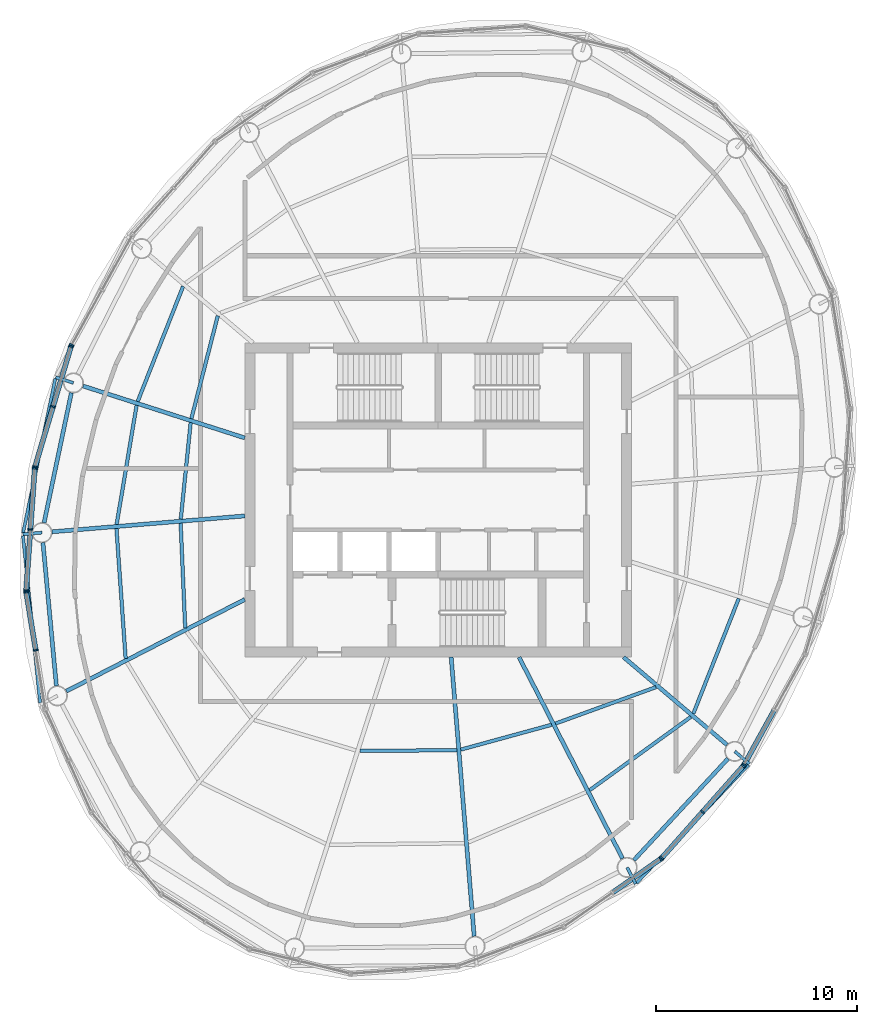
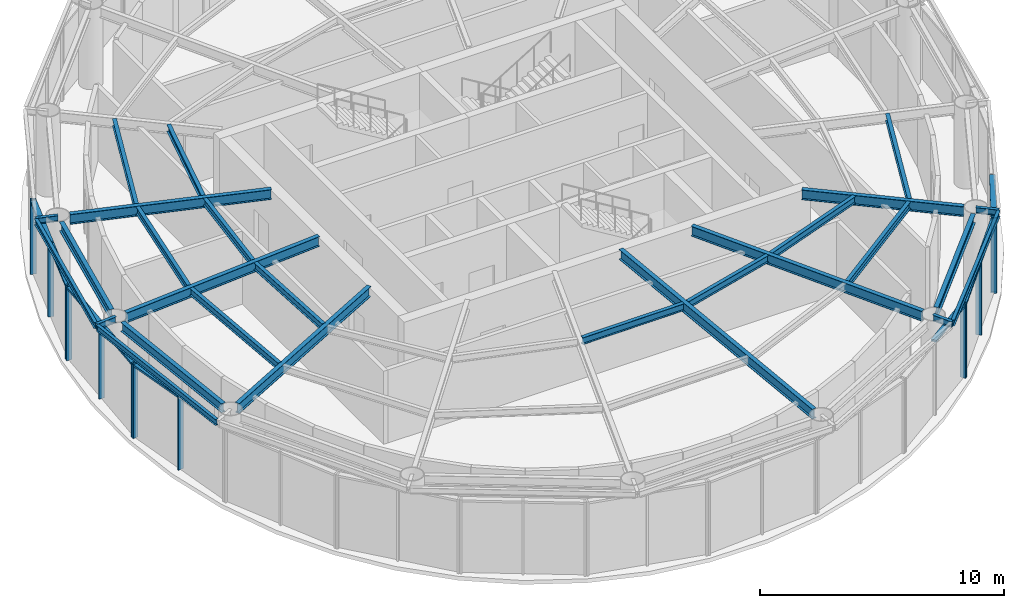
# One storey, part 3 of 11: 27 beams, 23 members, 7 elements without a shape of their own.
"""IFC4 building model written with IfcOpenShell, lengths in metres."""

from ifc_helpers import new_model, si_unit, direction, frame, origin, origin_2d, place, context, subcontext, project, spatial, rectangle, i_section, extrude, material, material_profile, profile_set, type_object, element, aggregate, save


model = new_model("IFC4")

# Units and contexts
model_context = context("Model", 3, precision=1e-05, world=origin(), true_north=direction((0.0, 1.0)))
body_context = subcontext(model_context, "Body", "Model", "MODEL_VIEW")
ifc_project = project(units=[si_unit("LENGTHUNIT", "METRE"), si_unit("AREAUNIT", "SQUARE_METRE"), si_unit("VOLUMEUNIT", "CUBIC_METRE"), si_unit("PLANEANGLEUNIT", "RADIAN"), si_unit("MASSUNIT", "GRAM", prefix="KILO")], contexts=[model_context])

# Site, building, storey
site_placement = place(None, origin())
site = spatial("IfcSite", under=ifc_project, at=site_placement, CompositionType="ELEMENT")
building_placement = place(site_placement, origin())
building = spatial("IfcBuilding", under=site, at=building_placement, Name="Vermilion Reach Broadcast Tower", CompositionType="ELEMENT")
storey_placement = place(building_placement, frame((0.0, 0.0, 321.300048828125)))
storey = spatial("IfcBuildingStorey", under=building, at=storey_placement, Name="L80 CROWN", CompositionType="ELEMENT", Elevation=321.300048828125)

# Curtain wall, member
ifc_material_1 = material(Name="Low-e laminated clear glass in aluminium frame", Category="aluminium")
curtain_wall_type = type_object("IfcCurtainWallType", Name="Crown glazing curtain wall", PredefinedType="NOTDEFINED", material=ifc_material_1)
placement = place(storey_placement, origin())
curtain_wall_1 = element("IfcCurtainWall", 1, at=placement, inside=storey, type_object=curtain_wall_type, Name="Crown glazing L80 CROWN 06", PredefinedType="NOTDEFINED")
ifc_material_2 = material(Name="Anodised aluminium", Category="aluminium")
ifc_material_profile_1 = material_profile(ifc_material_2, rectangle(XDim=0.25, YDim=0.080078125, at=origin_2d()), Name="Crown glazing mullion 80 x 250")
ifc_profile_set_1 = profile_set([ifc_material_profile_1], Name="Anodised aluminium")
member_type_1 = type_object("IfcMemberType", Name="Crown glazing mullion 80 x 250", PredefinedType="MULLION", material=ifc_profile_set_1)
member_1_placement = place(storey_placement, frame((-24.196533203125, 7.6923828125, 0.0), z_axis=(0.0, 0.0, 1.0), x_axis=(0.874983200268, -0.484153280738, 0.0)))
member_1 = element("IfcMember", 2, at=member_1_placement, type_object=member_type_1, Name="Crown glazing mullion L80 CROWN 06.3", PredefinedType="MULLION", context=body_context, shape_type="SweptSolid", body=[
    extrude(rectangle(XDim=0.25, YDim=0.080078125, at=origin_2d()), origin(), (0.0, 0.0, 1.0), 3.699951171875),
])
aggregate(curtain_wall_1, [member_1])

# Curtain wall, members
curtain_wall_2 = element("IfcCurtainWall", 3, at=placement, inside=storey, type_object=curtain_wall_type, Name="Crown glazing L80 CROWN 07", PredefinedType="NOTDEFINED")
member_2_placement = place(storey_placement, frame((-24.2275390625, 7.618896484375, 0.0), z_axis=(0.0, 0.0, 1.0), x_axis=(0.958107940789, -0.286407356394, 0.0)))
member_2 = element("IfcMember", 4, at=member_2_placement, type_object=member_type_1, Name="Crown glazing mullion L80 CROWN 07.1", PredefinedType="MULLION", context=body_context, shape_type="SweptSolid", body=[
    extrude(rectangle(XDim=0.25, YDim=0.080078125, at=origin_2d()), origin(), (0.0, 0.0, 1.0), 3.699951171875),
])
member_3_placement = place(storey_placement, frame((-25.119384765625, 4.635498046875, 0.0), z_axis=(0.0, 0.0, 1.0), x_axis=(0.958107940789, -0.286407356394, 0.0)))
member_3 = element("IfcMember", 5, at=member_3_placement, type_object=member_type_1, Name="Crown glazing mullion L80 CROWN 07.2", PredefinedType="MULLION", context=body_context, shape_type="SweptSolid", body=[
    extrude(rectangle(XDim=0.25, YDim=0.080078125, at=origin_2d()), origin(), (0.0, 0.0, 1.0), 3.699951171875),
])
member_4_placement = place(storey_placement, frame((-26.01123046875, 1.65185546875, 0.0), z_axis=(0.0, 0.0, 1.0), x_axis=(0.958107940789, -0.286407356394, 0.0)))
member_4 = element("IfcMember", 6, at=member_4_placement, type_object=member_type_1, Name="Crown glazing mullion L80 CROWN 07.3", PredefinedType="MULLION", context=body_context, shape_type="SweptSolid", body=[
    extrude(rectangle(XDim=0.25, YDim=0.080078125, at=origin_2d()), origin(), (0.0, 0.0, 1.0), 3.699951171875),
])

curtain_wall_3 = element("IfcCurtainWall", 7, at=placement, inside=storey, type_object=curtain_wall_type, Name="Crown glazing L80 CROWN 08", PredefinedType="NOTDEFINED")
member_5_placement = place(storey_placement, frame((-26.025390625, 1.57373046875, 0.0), z_axis=(0.0, 0.0, 1.0), x_axis=(0.997499557729, -0.070672712769, 0.0)))
member_5 = element("IfcMember", 8, at=member_5_placement, type_object=member_type_1, Name="Crown glazing mullion L80 CROWN 08.1", PredefinedType="MULLION", context=body_context, shape_type="SweptSolid", body=[
    extrude(rectangle(XDim=0.25, YDim=0.080078125, at=origin_2d()), origin(), (0.0, 0.0, 1.0), 3.699951171875),
])
member_6_placement = place(storey_placement, frame((-26.240478515625, -1.46240234375, 0.0), z_axis=(0.0, 0.0, 1.0), x_axis=(0.997499557729, -0.070672712769, 0.0)))
member_6 = element("IfcMember", 9, at=member_6_placement, type_object=member_type_1, Name="Crown glazing mullion L80 CROWN 08.2", PredefinedType="MULLION", context=body_context, shape_type="SweptSolid", body=[
    extrude(rectangle(XDim=0.25, YDim=0.080078125, at=origin_2d()), origin(), (0.0, 0.0, 1.0), 3.699951171875),
])
member_7_placement = place(storey_placement, frame((-26.455810546875, -4.49853515625, 0.0), z_axis=(0.0, 0.0, 1.0), x_axis=(0.997499557729, -0.070672712769, 0.0)))
member_7 = element("IfcMember", 10, at=member_7_placement, type_object=member_type_1, Name="Crown glazing mullion L80 CROWN 08.3", PredefinedType="MULLION", context=body_context, shape_type="SweptSolid", body=[
    extrude(rectangle(XDim=0.25, YDim=0.080078125, at=origin_2d()), origin(), (0.0, 0.0, 1.0), 3.699951171875),
])

curtain_wall_4 = element("IfcCurtainWall", 11, at=placement, inside=storey, type_object=curtain_wall_type, Name="Crown glazing L80 CROWN 09", PredefinedType="NOTDEFINED")
member_8_placement = place(storey_placement, frame((-26.451904296875, -4.577880859375, 0.0), z_axis=(0.0, 0.0, 1.0), x_axis=(0.986689101121, 0.162618011697, 0.0)))
member_8 = element("IfcMember", 12, at=member_8_placement, type_object=member_type_1, Name="Crown glazing mullion L80 CROWN 09.1", PredefinedType="MULLION", context=body_context, shape_type="SweptSolid", body=[
    extrude(rectangle(XDim=0.25, YDim=0.080078125, at=origin_2d()), origin(), (0.0, 0.0, 1.0), 3.699951171875),
])
member_9_placement = place(storey_placement, frame((-25.9775390625, -7.456787109375, 0.0), z_axis=(0.0, 0.0, 1.0), x_axis=(0.986689101121, 0.162618011697, 0.0)))
member_9 = element("IfcMember", 13, at=member_9_placement, type_object=member_type_1, Name="Crown glazing mullion L80 CROWN 09.2", PredefinedType="MULLION", context=body_context, shape_type="SweptSolid", body=[
    extrude(rectangle(XDim=0.25, YDim=0.080078125, at=origin_2d()), origin(), (0.0, 0.0, 1.0), 3.699951171875),
])

# Curtain wall, member
curtain_wall_5 = element("IfcCurtainWall", 14, at=placement, inside=storey, type_object=curtain_wall_type, Name="Crown glazing L80 CROWN 16", PredefinedType="NOTDEFINED")
member_10_placement = place(storey_placement, frame((5.038818359375, -17.8154296875, 0.0), z_axis=(0.0, 0.0, 1.0), x_axis=(-0.574163969023, 0.818740335317, 0.0)))
member_10 = element("IfcMember", 15, at=member_10_placement, type_object=member_type_1, Name="Crown glazing mullion L80 CROWN 16.3", PredefinedType="MULLION", context=body_context, shape_type="SweptSolid", body=[
    extrude(rectangle(XDim=0.25, YDim=0.080078125, at=origin_2d()), origin(), (0.0, 0.0, 1.0), 3.699951171875),
])

# Curtain wall, members
curtain_wall_6 = element("IfcCurtainWall", 16, at=placement, inside=storey, type_object=curtain_wall_type, Name="Crown glazing L80 CROWN 17", PredefinedType="NOTDEFINED")
member_11_placement = place(storey_placement, frame((5.09814453125, -17.762451171875, 0.0), z_axis=(0.0, 0.0, 1.0), x_axis=(-0.748407682668, 0.663238976934, 0.0)))
member_11 = element("IfcMember", 17, at=member_11_placement, type_object=member_type_1, Name="Crown glazing mullion L80 CROWN 17.1", PredefinedType="MULLION", context=body_context, shape_type="SweptSolid", body=[
    extrude(rectangle(XDim=0.25, YDim=0.080078125, at=origin_2d()), origin(), (0.0, 0.0, 1.0), 3.699951171875),
])
member_12_placement = place(storey_placement, frame((7.11669921875, -15.484619140625, 0.0), z_axis=(0.0, 0.0, 1.0), x_axis=(-0.748407682668, 0.663238976934, 0.0)))
member_12 = element("IfcMember", 18, at=member_12_placement, type_object=member_type_1, Name="Crown glazing mullion L80 CROWN 17.2", PredefinedType="MULLION", context=body_context, shape_type="SweptSolid", body=[
    extrude(rectangle(XDim=0.25, YDim=0.080078125, at=origin_2d()), origin(), (0.0, 0.0, 1.0), 3.699951171875),
])
member_13_placement = place(storey_placement, frame((9.135498046875, -13.20654296875, 0.0), z_axis=(0.0, 0.0, 1.0), x_axis=(-0.748407682668, 0.663238976934, 0.0)))
member_13 = element("IfcMember", 19, at=member_13_placement, type_object=member_type_1, Name="Crown glazing mullion L80 CROWN 17.3", PredefinedType="MULLION", context=body_context, shape_type="SweptSolid", body=[
    extrude(rectangle(XDim=0.25, YDim=0.080078125, at=origin_2d()), origin(), (0.0, 0.0, 1.0), 3.699951171875),
])

# Curtain wall, member
curtain_wall_7 = element("IfcCurtainWall", 20, at=placement, inside=storey, type_object=curtain_wall_type, Name="Crown glazing L80 CROWN 18", PredefinedType="NOTDEFINED")
member_14_placement = place(storey_placement, frame((9.181396484375, -13.1416015625, 0.0), z_axis=(0.0, 0.0, 1.0), x_axis=(-0.874983200268, 0.484153280738, 0.0)))
member_14 = element("IfcMember", 21, at=member_14_placement, type_object=member_type_1, Name="Crown glazing mullion L80 CROWN 18.1", PredefinedType="MULLION", context=body_context, shape_type="SweptSolid", body=[
    extrude(rectangle(XDim=0.25, YDim=0.080078125, at=origin_2d()), origin(), (0.0, 0.0, 1.0), 3.699951171875),
])

# Member
ifc_material_3 = material(Name="Anodised aluminium", Category="aluminium")
ifc_material_profile_2 = material_profile(ifc_material_3, rectangle(XDim=0.25, YDim=0.10009765625, at=origin_2d()), Name="Crown glazing transom 250 x 100")
ifc_profile_set_2 = profile_set([ifc_material_profile_2], Name="Anodised aluminium")
member_type_2 = type_object("IfcMemberType", Name="Crown glazing transom 250 x 100", PredefinedType="USERDEFINED", material=ifc_profile_set_2)
member_15_placement = place(storey_placement, frame((-24.239013671875, 7.58056640625, 3.64990234375), z_axis=(-0.286402743865, -0.958109319601, 0.0), x_axis=(0.958109319601, -0.286402743865, 0.0)))
member_15 = element("IfcMember", 22, at=member_15_placement, type_object=member_type_2, Name="Crown glazing transom L80 CROWN 07.1.2", ObjectType="TRANSOM", PredefinedType="USERDEFINED", context=body_context, shape_type="SweptSolid", body=[
    extrude(rectangle(XDim=0.25, YDim=0.10009765625, at=origin_2d()), origin(), (0.0, 0.0, 1.0), 3.033935546875),
])

member_16_placement = place(storey_placement, frame((-25.130859375, 4.59716796875, 3.64990234375), z_axis=(-0.286380663338, -0.958115919744, 0.0), x_axis=(0.958115919744, -0.286380663338, 0.0)))
member_16 = element("IfcMember", 23, at=member_16_placement, type_object=member_type_2, Name="Crown glazing transom L80 CROWN 07.2.2", ObjectType="TRANSOM", PredefinedType="USERDEFINED", context=body_context, shape_type="SweptSolid", body=[
    extrude(rectangle(XDim=0.25, YDim=0.10009765625, at=origin_2d()), origin(), (0.0, 0.0, 1.0), 3.0341796875),
])

aggregate(curtain_wall_2, [member_2, member_3, member_4, member_15, member_16])

member_17_placement = place(storey_placement, frame((-26.0283203125, 1.533935546875, 3.64990234375), z_axis=(-0.07067918302, -0.997499099292, 0.0), x_axis=(0.997499099292, -0.07067918302, 0.0)))
member_17 = element("IfcMember", 24, at=member_17_placement, type_object=member_type_2, Name="Crown glazing transom L80 CROWN 08.1.2", ObjectType="TRANSOM", PredefinedType="USERDEFINED", context=body_context, shape_type="SweptSolid", body=[
    extrude(rectangle(XDim=0.25, YDim=0.10009765625, at=origin_2d()), origin(), (0.0, 0.0, 1.0), 2.963623046875),
])

member_18_placement = place(storey_placement, frame((-26.243408203125, -1.502197265625, 3.64990234375), z_axis=(-0.07067918302, -0.997499099292, 0.0), x_axis=(0.997499099292, -0.07067918302, 0.0)))
member_18 = element("IfcMember", 25, at=member_18_placement, type_object=member_type_2, Name="Crown glazing transom L80 CROWN 08.2.2", ObjectType="TRANSOM", PredefinedType="USERDEFINED", context=body_context, shape_type="SweptSolid", body=[
    extrude(rectangle(XDim=0.25, YDim=0.10009765625, at=origin_2d()), origin(), (0.0, 0.0, 1.0), 2.963623046875),
])

aggregate(curtain_wall_3, [member_5, member_6, member_7, member_17, member_18])

member_19_placement = place(storey_placement, frame((-26.445556640625, -4.6171875, 3.64990234375), z_axis=(0.162599033258, -0.986692228805, 0.0), x_axis=(0.986692228805, 0.162599033258, 0.0)))
member_19 = element("IfcMember", 26, at=member_19_placement, type_object=member_type_2, Name="Crown glazing transom L80 CROWN 09.1.2", ObjectType="TRANSOM", PredefinedType="USERDEFINED", context=body_context, shape_type="SweptSolid", body=[
    extrude(rectangle(XDim=0.25, YDim=0.10009765625, at=origin_2d()), origin(), (0.0, 0.0, 1.0), 2.837890625),
])

aggregate(curtain_wall_4, [member_8, member_9, member_19])

member_20_placement = place(storey_placement, frame((2.6826171875, -19.4677734375, 3.64990234375), z_axis=(0.818742582552, 0.574160764522, 0.0), x_axis=(-0.574160764522, 0.818742582552, 0.0)))
member_20 = element("IfcMember", 27, at=member_20_placement, type_object=member_type_2, Name="Crown glazing transom L80 CROWN 16.2.2", ObjectType="TRANSOM", PredefinedType="USERDEFINED", context=body_context, shape_type="SweptSolid", body=[
    extrude(rectangle(XDim=0.25, YDim=0.10009765625, at=origin_2d()), origin(), (0.0, 0.0, 1.0), 2.837890625),
])

aggregate(curtain_wall_5, [member_10, member_20])

member_21_placement = place(storey_placement, frame((5.12451171875, -17.732421875, 3.64990234375), z_axis=(0.663279205809, 0.748372029903, 0.0), x_axis=(-0.748372029903, 0.663279205809, 0.0)))
member_21 = element("IfcMember", 28, at=member_21_placement, type_object=member_type_2, Name="Crown glazing transom L80 CROWN 17.1.2", ObjectType="TRANSOM", PredefinedType="USERDEFINED", context=body_context, shape_type="SweptSolid", body=[
    extrude(rectangle(XDim=0.25, YDim=0.10009765625, at=origin_2d()), origin(), (0.0, 0.0, 1.0), 2.9638671875),
])

member_22_placement = place(storey_placement, frame((7.143310546875, -15.45458984375, 3.64990234375), z_axis=(0.663233067327, 0.74841291972, 0.0), x_axis=(-0.74841291972, 0.663233067327, 0.0)))
member_22 = element("IfcMember", 29, at=member_22_placement, type_object=member_type_2, Name="Crown glazing transom L80 CROWN 17.2.2", ObjectType="TRANSOM", PredefinedType="USERDEFINED", context=body_context, shape_type="SweptSolid", body=[
    extrude(rectangle(XDim=0.25, YDim=0.10009765625, at=origin_2d()), origin(), (0.0, 0.0, 1.0), 2.963623046875),
])

aggregate(curtain_wall_6, [member_11, member_12, member_13, member_21, member_22])

member_23_placement = place(storey_placement, frame((9.20068359375, -13.106689453125, 3.64990234375), z_axis=(0.484159697597, 0.874979649605, 0.0), x_axis=(-0.874979649605, 0.484159697597, 0.0)))
member_23 = element("IfcMember", 30, at=member_23_placement, type_object=member_type_2, Name="Crown glazing transom L80 CROWN 18.1.2", ObjectType="TRANSOM", PredefinedType="USERDEFINED", context=body_context, shape_type="SweptSolid", body=[
    extrude(rectangle(XDim=0.25, YDim=0.10009765625, at=origin_2d()), origin(), (0.0, 0.0, 1.0), 3.0341796875),
])

aggregate(curtain_wall_7, [member_14, member_23])

# Beams
ifc_material_4 = material(Name="Steel S355J2", Category="steel")
ifc_material_profile_3 = material_profile(ifc_material_4, i_section(OverallWidth=0.14990234375, OverallDepth=0.300048828125, WebThickness=0.006591796875, FlangeThickness=0.009033203125, at=origin_2d()), Name="S355J2 HN 300x150x6.5x9")
ifc_profile_set_3 = profile_set([ifc_material_profile_3], Name="Steel S355J2")
beam_type_1 = type_object("IfcBeamType", Name="EB5 HN 300x150x6.5x9", PredefinedType="BEAM", material=ifc_profile_set_3)
beam_1_placement = place(storey_placement, frame((-25.00439453125, 6.019287109375, 3.849853515625), z_axis=(-0.204738436734, -0.978816720599, 0.0), x_axis=(0.978816720599, -0.204738436734, 0.0)))
element("IfcBeam", 31, at=beam_1_placement, inside=storey, type_object=beam_type_1, Name="Edge beam EB5-05", PredefinedType="BEAM", context=body_context, shape_type="SweptSolid", body=[
    extrude(i_section(OverallWidth=0.14990234375, OverallDepth=0.300048828125, WebThickness=0.006591796875, FlangeThickness=0.009033203125, at=origin_2d()), origin(), (0.0, 0.0, 1.0), 7.806884765625),
])
beam_2_placement = place(storey_placement, frame((-26.611083984375, -1.7734375, 3.849853515625), z_axis=(0.102011792202, -0.99478318957, 0.0), x_axis=(0.99478318957, 0.102011792202, 0.0)))
element("IfcBeam", 32, at=beam_2_placement, inside=storey, type_object=beam_type_1, Name="Edge beam EB5-06", PredefinedType="BEAM", context=body_context, shape_type="SweptSolid", body=[
    extrude(i_section(OverallWidth=0.14990234375, OverallDepth=0.300048828125, WebThickness=0.006591796875, FlangeThickness=0.009033203125, at=origin_2d()), origin(), (0.0, 0.0, 1.0), 8.34521484375),
])
beam_3_placement = place(storey_placement, frame((3.85400390625, -19.001708984375, 3.849853515625), z_axis=(0.687701793008, 0.725993280888, 0.0), x_axis=(-0.725993280888, 0.687701793008, 0.0)))
element("IfcBeam", 33, at=beam_3_placement, inside=storey, type_object=beam_type_1, Name="Edge beam EB5-11", PredefinedType="BEAM", context=body_context, shape_type="SweptSolid", body=[
    extrude(i_section(OverallWidth=0.14990234375, OverallDepth=0.300048828125, WebThickness=0.006591796875, FlangeThickness=0.009033203125, at=origin_2d()), origin(), (0.0, 0.0, 1.0), 8.05908203125),
])
ifc_material_5 = material(Name="Steel S355J2", Category="steel")
ifc_material_profile_4 = material_profile(ifc_material_5, i_section(OverallWidth=0.199951171875, OverallDepth=0.5, WebThickness=0.010009765625, FlangeThickness=0.01611328125, at=origin_2d()), Name="S355J2 HN 500x200x10x16")
ifc_profile_set_4 = profile_set([ifc_material_profile_4], Name="Steel S355J2")
beam_type_2 = type_object("IfcBeamType", Name="G5 HN 500x200x10x16", PredefinedType="BEAM", material=ifc_profile_set_4)
beam_4_placement = place(storey_placement, frame((-15.60009765625, 3.080322265625, 3.75), z_axis=(-0.952178453449, 0.305542456604, 0.0), x_axis=(-0.305542456604, -0.952178453449, 0.0)))
element("IfcBeam", 34, at=beam_4_placement, inside=storey, type_object=beam_type_2, Name="Girder G5-05", PredefinedType="BEAM", context=body_context, shape_type="SweptSolid", body=[
    extrude(i_section(OverallWidth=0.199951171875, OverallDepth=0.5, WebThickness=0.010009765625, FlangeThickness=0.01611328125, at=origin_2d()), origin(), (0.0, 0.0, 1.0), 8.43310546875),
])
beam_5_placement = place(storey_placement, frame((-15.60009765625, -0.791015625, 3.75), z_axis=(-0.996624410075, -0.082096195058, 0.0), x_axis=(0.082096195058, -0.996624410075, 0.0)))
element("IfcBeam", 35, at=beam_5_placement, inside=storey, type_object=beam_type_2, Name="Girder G5-06", PredefinedType="BEAM", context=body_context, shape_type="SweptSolid", body=[
    extrude(i_section(OverallWidth=0.199951171875, OverallDepth=0.5, WebThickness=0.010009765625, FlangeThickness=0.01611328125, at=origin_2d()), origin(), (0.0, 0.0, 1.0), 9.599609375),
])
beam_6_placement = place(storey_placement, frame((-15.60009765625, -4.935791015625, 3.75), z_axis=(-0.889332502449, -0.457261085254, 0.0), x_axis=(0.457261085254, -0.889332502449, 0.0)))
element("IfcBeam", 36, at=beam_6_placement, inside=storey, type_object=beam_type_2, Name="Girder G5-07", PredefinedType="BEAM", context=body_context, shape_type="SweptSolid", body=[
    extrude(i_section(OverallWidth=0.199951171875, OverallDepth=0.5, WebThickness=0.010009765625, FlangeThickness=0.01611328125, at=origin_2d()), origin(), (0.0, 0.0, 1.0), 9.96337890625),
])
beam_7_placement = place(storey_placement, frame((-5.357421875, -7.800048828125, 3.75), z_axis=(0.082123744247, -0.996622140347, 0.0), x_axis=(0.996622140347, 0.082123744247, 0.0)))
element("IfcBeam", 37, at=beam_7_placement, inside=storey, type_object=beam_type_2, Name="Girder G5-10", PredefinedType="BEAM", context=body_context, shape_type="SweptSolid", body=[
    extrude(i_section(OverallWidth=0.199951171875, OverallDepth=0.5, WebThickness=0.010009765625, FlangeThickness=0.01611328125, at=origin_2d()), origin(), (0.0, 0.0, 1.0), 13.89794921875),
])
beam_8_placement = place(storey_placement, frame((-1.989501953125, -7.800048828125, 3.75), z_axis=(0.457258168112, -0.889334002327, 0.0), x_axis=(0.889334002327, 0.457258168112, 0.0)))
element("IfcBeam", 38, at=beam_8_placement, inside=storey, type_object=beam_type_2, Name="Girder G5-11", PredefinedType="BEAM", context=body_context, shape_type="SweptSolid", body=[
    extrude(i_section(OverallWidth=0.199951171875, OverallDepth=0.5, WebThickness=0.010009765625, FlangeThickness=0.01611328125, at=origin_2d()), origin(), (0.0, 0.0, 1.0), 11.236328125),
])
beam_9_placement = place(storey_placement, frame((3.20068359375, -7.800048828125, 3.75), z_axis=(0.762793125612, -0.646642596431, 0.0), x_axis=(0.646642596431, 0.762793125612, 0.0)))
element("IfcBeam", 39, at=beam_9_placement, inside=storey, type_object=beam_type_2, Name="Girder G5-12", PredefinedType="BEAM", context=body_context, shape_type="SweptSolid", body=[
    extrude(i_section(OverallWidth=0.199951171875, OverallDepth=0.5, WebThickness=0.010009765625, FlangeThickness=0.01611328125, at=origin_2d()), origin(), (0.0, 0.0, 1.0), 6.732421875),
])
ifc_material_6 = material(Name="Steel S355J2", Category="steel")
ifc_material_profile_5 = material_profile(ifc_material_6, i_section(OverallWidth=0.14990234375, OverallDepth=0.300048828125, WebThickness=0.006591796875, FlangeThickness=0.009033203125, at=origin_2d()), Name="S355J2 HN 300x150x6.5x9")
ifc_profile_set_5 = profile_set([ifc_material_profile_5], Name="Steel S355J2")
beam_type_3 = type_object("IfcBeamType", Name="GS5 HN 300x150x6.5x9", PredefinedType="BEAM", material=ifc_profile_set_5)
beam_10_placement = place(storey_placement, frame((-24.10595703125, 5.809814453125, 3.849853515625), z_axis=(-0.952228317443, 0.305387019141, 0.0), x_axis=(-0.305387019141, -0.952228317443, 0.0)))
element("IfcBeam", 40, at=beam_10_placement, inside=storey, type_object=beam_type_3, Name="Cantilever stub GS5-05", PredefinedType="BEAM", context=body_context, shape_type="SweptSolid", body=[
    extrude(i_section(OverallWidth=0.14990234375, OverallDepth=0.300048828125, WebThickness=0.006591796875, FlangeThickness=0.009033203125, at=origin_2d()), origin(), (0.0, 0.0, 1.0), 0.92724609375),
])
beam_11_placement = place(storey_placement, frame((-25.665771484375, -1.620361328125, 3.849853515625), z_axis=(-0.996634988565, -0.081967673925, 0.0), x_axis=(0.081967673925, -0.996634988565, 0.0)))
element("IfcBeam", 41, at=beam_11_placement, inside=storey, type_object=beam_type_3, Name="Cantilever stub GS5-06", PredefinedType="BEAM", context=body_context, shape_type="SweptSolid", body=[
    extrude(i_section(OverallWidth=0.14990234375, OverallDepth=0.300048828125, WebThickness=0.006591796875, FlangeThickness=0.009033203125, at=origin_2d()), origin(), (0.0, 0.0, 1.0), 0.9560546875),
])
beam_12_placement = place(storey_placement, frame((3.376953125, -18.23779296875, 3.849853515625), z_axis=(0.457228572872, -0.889349218333, 0.0), x_axis=(0.889349218333, 0.457228572872, 0.0)))
element("IfcBeam", 42, at=beam_12_placement, inside=storey, type_object=beam_type_3, Name="Cantilever stub GS5-11", PredefinedType="BEAM", context=body_context, shape_type="SweptSolid", body=[
    extrude(i_section(OverallWidth=0.14990234375, OverallDepth=0.300048828125, WebThickness=0.006591796875, FlangeThickness=0.009033203125, at=origin_2d()), origin(), (0.0, 0.0, 1.0), 0.923828125),
])
beam_13_placement = place(storey_placement, frame((8.717529296875, -12.476806640625, 3.849853515625), z_axis=(0.762718692688, -0.64673038882, 0.0), x_axis=(0.64673038882, 0.762718692688, 0.0)))
element("IfcBeam", 43, at=beam_13_placement, inside=storey, type_object=beam_type_3, Name="Cantilever stub GS5-12", PredefinedType="BEAM", context=body_context, shape_type="SweptSolid", body=[
    extrude(i_section(OverallWidth=0.14990234375, OverallDepth=0.300048828125, WebThickness=0.006591796875, FlangeThickness=0.009033203125, at=origin_2d()), origin(), (0.0, 0.0, 1.0), 0.957763671875),
])
ifc_material_7 = material(Name="Steel S355J2", Category="steel")
ifc_material_profile_6 = material_profile(ifc_material_7, i_section(OverallWidth=0.199951171875, OverallDepth=0.449951171875, WebThickness=0.009033203125, FlangeThickness=0.013916015625, at=origin_2d()), Name="S355J2 HN 450x200x9x14")
ifc_profile_set_6 = profile_set([ifc_material_profile_6], Name="Steel S355J2")
beam_type_4 = type_object("IfcBeamType", Name="RB5 HN 450x200x9x14", PredefinedType="BEAM", material=ifc_profile_set_6)
beam_14_placement = place(storey_placement, frame((-24.208740234375, 5.3203125, 3.77490234375), z_axis=(-0.205444869285, -0.978668690459, 0.0), x_axis=(0.978668690459, -0.205444869285, 0.0)))
element("IfcBeam", 44, at=beam_14_placement, inside=storey, type_object=beam_type_4, Name="Ring beam RB5-05", PredefinedType="BEAM", context=body_context, shape_type="SweptSolid", body=[
    extrude(i_section(OverallWidth=0.199951171875, OverallDepth=0.449951171875, WebThickness=0.009033203125, FlangeThickness=0.013916015625, at=origin_2d()), origin(), (0.0, 0.0, 1.0), 6.591796875),
])
beam_15_placement = place(storey_placement, frame((-25.618896484375, -2.1181640625, 3.77490234375), z_axis=(0.093441399272, -0.995624781181, 0.0), x_axis=(0.995624781181, 0.093441399272, 0.0)))
element("IfcBeam", 45, at=beam_15_placement, inside=storey, type_object=beam_type_4, Name="Ring beam RB5-06", PredefinedType="BEAM", context=body_context, shape_type="SweptSolid", body=[
    extrude(i_section(OverallWidth=0.199951171875, OverallDepth=0.449951171875, WebThickness=0.009033203125, FlangeThickness=0.013916015625, at=origin_2d()), origin(), (0.0, 0.0, 1.0), 7.135498046875),
])
beam_16_placement = place(storey_placement, frame((3.716796875, -17.87109375, 3.77490234375), z_axis=(0.679837550075, 0.733362738014, 0.0), x_axis=(-0.733362738014, 0.679837550075, 0.0)))
element("IfcBeam", 46, at=beam_16_placement, inside=storey, type_object=beam_type_4, Name="Ring beam RB5-11", PredefinedType="BEAM", context=body_context, shape_type="SweptSolid", body=[
    extrude(i_section(OverallWidth=0.199951171875, OverallDepth=0.449951171875, WebThickness=0.009033203125, FlangeThickness=0.013916015625, at=origin_2d()), origin(), (0.0, 0.0, 1.0), 6.85546875),
])
ifc_material_8 = material(Name="Steel S355J2", Category="steel")
ifc_material_profile_7 = material_profile(ifc_material_8, i_section(OverallWidth=0.175048828125, OverallDepth=0.35009765625, WebThickness=0.007080078125, FlangeThickness=0.010986328125, at=origin_2d()), Name="S355J2 HN 350x175x7x11")
ifc_profile_set_7 = profile_set([ifc_material_profile_7], Name="Steel S355J2")
beam_type_5 = type_object("IfcBeamType", Name="SB5 HN 350x175x7x11", PredefinedType="BEAM", material=ifc_profile_set_7)
beam_17_placement = place(storey_placement, frame((-16.940185546875, 9.1435546875, 3.824951171875), z_axis=(-0.248729575729, -0.968572969971, 0.0), x_axis=(0.968572969971, -0.248729575729, 0.0)))
element("IfcBeam", 47, at=beam_17_placement, inside=storey, type_object=beam_type_5, Name="Secondary beam SB5-04-1", PredefinedType="BEAM", context=body_context, shape_type="SweptSolid", body=[
    extrude(i_section(OverallWidth=0.175048828125, OverallDepth=0.35009765625, WebThickness=0.007080078125, FlangeThickness=0.010986328125, at=origin_2d()), origin(), (0.0, 0.0, 1.0), 5.27294921875),
])
beam_18_placement = place(storey_placement, frame((-18.6630859375, 10.604248046875, 3.824951171875), z_axis=(-0.366931189603, -0.930248086317, 0.0), x_axis=(0.930248086317, -0.366931189603, 0.0)))
element("IfcBeam", 48, at=beam_18_placement, inside=storey, type_object=beam_type_5, Name="Secondary beam SB5-04-2", PredefinedType="BEAM", context=body_context, shape_type="SweptSolid", body=[
    extrude(i_section(OverallWidth=0.175048828125, OverallDepth=0.35009765625, WebThickness=0.007080078125, FlangeThickness=0.010986328125, at=origin_2d()), origin(), (0.0, 0.0, 1.0), 6.141357421875),
])
beam_19_placement = place(storey_placement, frame((-18.287109375, 3.837646484375, 3.824951171875), z_axis=(-0.102113775264, -0.994772726255, 0.0), x_axis=(0.994772726255, -0.102113775264, 0.0)))
element("IfcBeam", 49, at=beam_19_placement, inside=storey, type_object=beam_type_5, Name="Secondary beam SB5-05-1", PredefinedType="BEAM", context=body_context, shape_type="SweptSolid", body=[
    extrude(i_section(OverallWidth=0.175048828125, OverallDepth=0.35009765625, WebThickness=0.007080078125, FlangeThickness=0.010986328125, at=origin_2d()), origin(), (0.0, 0.0, 1.0), 4.815185546875),
])
beam_20_placement = place(storey_placement, frame((-20.969970703125, 4.698486328125, 3.824951171875), z_axis=(-0.16532337011, -0.986239414795, 0.0), x_axis=(0.986239414795, -0.16532337011, 0.0)))
element("IfcBeam", 50, at=beam_20_placement, inside=storey, type_object=beam_type_5, Name="Secondary beam SB5-05-2", PredefinedType="BEAM", context=body_context, shape_type="SweptSolid", body=[
    extrude(i_section(OverallWidth=0.175048828125, OverallDepth=0.35009765625, WebThickness=0.007080078125, FlangeThickness=0.010986328125, at=origin_2d()), origin(), (0.0, 0.0, 1.0), 5.99560546875),
])
beam_21_placement = place(storey_placement, frame((-18.78466796875, -1.153564453125, 3.824951171875), z_axis=(0.043557530017, -0.999050920413, 0.0), x_axis=(0.999050920413, 0.043557530017, 0.0)))
element("IfcBeam", 51, at=beam_21_placement, inside=storey, type_object=beam_type_5, Name="Secondary beam SB5-06-1", PredefinedType="BEAM", context=body_context, shape_type="SweptSolid", body=[
    extrude(i_section(OverallWidth=0.175048828125, OverallDepth=0.35009765625, WebThickness=0.007080078125, FlangeThickness=0.010986328125, at=origin_2d()), origin(), (0.0, 0.0, 1.0), 5.19580078125),
])
beam_22_placement = place(storey_placement, frame((-21.97119140625, -1.416259765625, 3.824951171875), z_axis=(0.070586780458, -0.997505642302, 0.0), x_axis=(0.997505642302, 0.070586780458, 0.0)))
element("IfcBeam", 52, at=beam_22_placement, inside=storey, type_object=beam_type_5, Name="Secondary beam SB5-06-2", PredefinedType="BEAM", context=body_context, shape_type="SweptSolid", body=[
    extrude(i_section(OverallWidth=0.175048828125, OverallDepth=0.35009765625, WebThickness=0.007080078125, FlangeThickness=0.010986328125, at=origin_2d()), origin(), (0.0, 0.0, 1.0), 6.46435546875),
])
beam_23_placement = place(storey_placement, frame((-9.891845703125, -12.4560546875, 3.824951171875), z_axis=(0.999968312294, 0.007960804474, 0.0), x_axis=(-0.007960804474, 0.999968312294, 0.0)))
element("IfcBeam", 53, at=beam_23_placement, inside=storey, type_object=beam_type_5, Name="Secondary beam SB5-09-1", PredefinedType="BEAM", context=body_context, shape_type="SweptSolid", body=[
    extrude(i_section(OverallWidth=0.175048828125, OverallDepth=0.35009765625, WebThickness=0.007080078125, FlangeThickness=0.010986328125, at=origin_2d()), origin(), (0.0, 0.0, 1.0), 4.81494140625),
])
beam_24_placement = place(storey_placement, frame((-4.87890625, -12.39013671875, 3.824951171875), z_axis=(0.964547496851, 0.263909314573, 0.0), x_axis=(-0.263909314573, 0.964547496851, 0.0)))
element("IfcBeam", 54, at=beam_24_placement, inside=storey, type_object=beam_type_5, Name="Secondary beam SB5-10-1", PredefinedType="BEAM", context=body_context, shape_type="SweptSolid", body=[
    extrude(i_section(OverallWidth=0.175048828125, OverallDepth=0.35009765625, WebThickness=0.007080078125, FlangeThickness=0.010986328125, at=origin_2d()), origin(), (0.0, 0.0, 1.0), 4.6689453125),
])
beam_25_placement = place(storey_placement, frame((-0.18212890625, -11.0966796875, 3.824951171875), z_axis=(0.940220108875, 0.340567389613, 0.0), x_axis=(-0.340567389613, 0.940220108875, 0.0)))
element("IfcBeam", 55, at=beam_25_placement, inside=storey, type_object=beam_type_5, Name="Secondary beam SB5-11-1", PredefinedType="BEAM", context=body_context, shape_type="SweptSolid", body=[
    extrude(i_section(OverallWidth=0.175048828125, OverallDepth=0.35009765625, WebThickness=0.007080078125, FlangeThickness=0.010986328125, at=origin_2d()), origin(), (0.0, 0.0, 1.0), 5.303466796875),
])
beam_26_placement = place(storey_placement, frame((1.517578125, -14.402587890625, 3.824951171875), z_axis=(0.809771251518, 0.586745703192, 0.0), x_axis=(-0.586745703192, 0.809771251518, 0.0)))
element("IfcBeam", 56, at=beam_26_placement, inside=storey, type_object=beam_type_5, Name="Secondary beam SB5-11-2", PredefinedType="BEAM", context=body_context, shape_type="SweptSolid", body=[
    extrude(i_section(OverallWidth=0.175048828125, OverallDepth=0.35009765625, WebThickness=0.007080078125, FlangeThickness=0.010986328125, at=origin_2d()), origin(), (0.0, 0.0, 1.0), 6.20361328125),
])
beam_27_placement = place(storey_placement, frame((6.6630859375, -10.604248046875, 3.824951171875), z_axis=(0.366931189603, 0.930248086317, 0.0), x_axis=(-0.930248086317, 0.366931189603, 0.0)))
element("IfcBeam", 57, at=beam_27_placement, inside=storey, type_object=beam_type_5, Name="Secondary beam SB5-12-2", PredefinedType="BEAM", context=body_context, shape_type="SweptSolid", body=[
    extrude(i_section(OverallWidth=0.175048828125, OverallDepth=0.35009765625, WebThickness=0.007080078125, FlangeThickness=0.010986328125, at=origin_2d()), origin(), (0.0, 0.0, 1.0), 6.141357421875),
])

save(model, "model.ifc")
